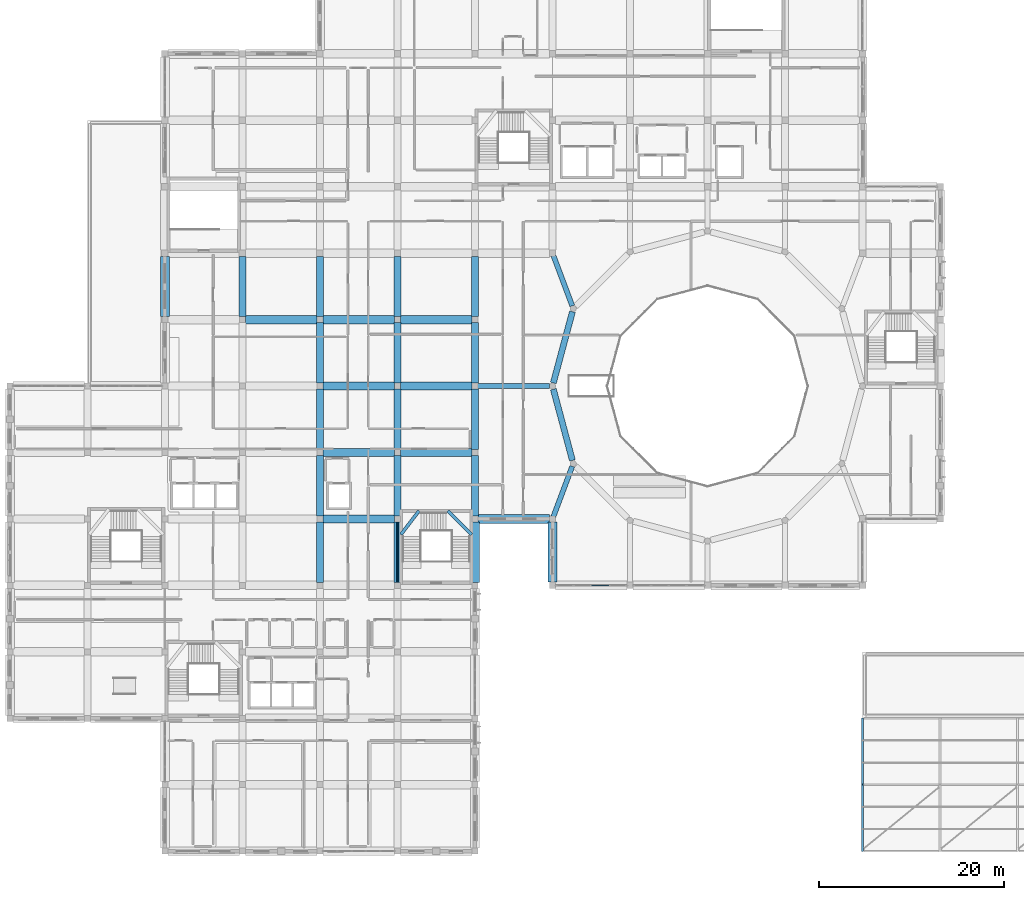
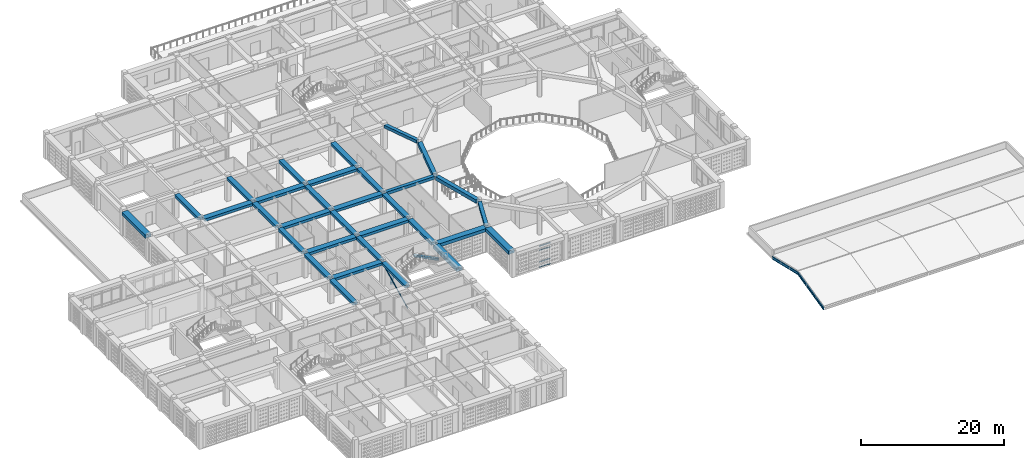
# One storey, part 14 of 79: 36 beams, 5 members, 1 element without a shape of its own.
"""IFC4 building model written with IfcOpenShell, lengths in metres."""

from ifc_helpers import new_model, si_unit, derived_unit, direction, frame, origin, origin_2d, place, context, subcontext, project, spatial, rectangle, hollow_rectangle, hollow_circle, i_section, extrude, material, material_profile, profile_set, type_object, element, aggregate, save


model = new_model("IFC4")

# Units and contexts
model_context = context("Model", 3, precision=1e-05, world=origin(), true_north=direction((0.0, 1.0)))
body_context = subcontext(model_context, "Body", "Model", "MODEL_VIEW")
ifc_project = project(units=[si_unit("LENGTHUNIT", "METRE"), si_unit("AREAUNIT", "SQUARE_METRE"), si_unit("VOLUMEUNIT", "CUBIC_METRE"), si_unit("PLANEANGLEUNIT", "RADIAN"), si_unit("MASSUNIT", "GRAM", prefix="KILO"), derived_unit("THERMALTRANSMITTANCEUNIT", [(si_unit("POWERUNIT", "WATT"), 1), (si_unit("LENGTHUNIT", "METRE"), -2), (si_unit("THERMODYNAMICTEMPERATUREUNIT", "KELVIN"), -1)])], contexts=[model_context])

# Site, building, storey
site_placement = place(None, origin())
site = spatial("IfcSite", under=ifc_project, at=site_placement, CompositionType="ELEMENT")
building_placement = place(site_placement, origin())
building = spatial("IfcBuilding", under=site, at=building_placement, Name="Veybourne Emporium", CompositionType="ELEMENT")
storey_placement = place(building_placement, frame((0.0, 0.0, 18.89990234375)))
storey = spatial("IfcBuildingStorey", under=building, at=storey_placement, Name="L04", CompositionType="ELEMENT", Elevation=18.89990234375)

# Curtain wall, members
ifc_material_1 = material(Name="Patinated Architectural Bronze", Category="bronze")
curtain_wall_type = type_object("IfcCurtainWallType", Name="CWSystem_CWS-02", PredefinedType="NOTDEFINED", material=ifc_material_1)
curtain_wall_placement = place(storey_placement, origin())
curtain_wall = element("IfcCurtainWall", 1, at=curtain_wall_placement, inside=storey, type_object=curtain_wall_type, Name="L04 bronze glazed curtain wall CWS-02 (033)", PredefinedType="NOTDEFINED")
ifc_material_profile_1 = material_profile(ifc_material_1, hollow_rectangle(XDim=0.074951171875, YDim=0.179931640625, WallThickness=0.0048828125, InnerFilletRadius=0.007568359375, OuterFilletRadius=0.012451171875, at=origin_2d()), Name="CWT 75x180x5")
ifc_profile_set_1 = profile_set([ifc_material_profile_1], Name="Patinated Architectural Bronze")
member_type_1 = type_object("IfcMemberType", Name="CWTransom_CW-T2", PredefinedType="NOTDEFINED", material=ifc_profile_set_1)
member_1_placement = place(storey_placement, frame((64.887451171875, 28.800048828125, 0.03759765625), z_axis=(-1.0, 0.0, 0.0), x_axis=(0.0, -1.0, 0.0)))
member_1 = element("IfcMember", 2, at=member_1_placement, type_object=member_type_1, Name="CWS-02 transom 2.1", ObjectType="TRANSOM", PredefinedType="USERDEFINED", context=body_context, shape_type="SweptSolid", body=[
    extrude(hollow_rectangle(XDim=0.074951171875, YDim=0.179931640625, WallThickness=0.0048828125, InnerFilletRadius=0.007568359375, OuterFilletRadius=0.012451171875, at=origin_2d()), origin(), (0.0, 0.0, 1.0), 1.849853515625),
])
member_2_placement = place(storey_placement, frame((64.887451171875, 28.800048828125, 0.900146484375), z_axis=(-1.0, 0.0, 0.0), x_axis=(0.0, -1.0, 0.0)))
member_2 = element("IfcMember", 3, at=member_2_placement, type_object=member_type_1, Name="CWS-02 transom 2.2", ObjectType="TRANSOM", PredefinedType="USERDEFINED", context=body_context, shape_type="SweptSolid", body=[
    extrude(hollow_rectangle(XDim=0.074951171875, YDim=0.179931640625, WallThickness=0.0048828125, InnerFilletRadius=0.007568359375, OuterFilletRadius=0.012451171875, at=origin_2d()), origin(), (0.0, 0.0, 1.0), 1.849853515625),
])
member_3_placement = place(storey_placement, frame((64.887451171875, 28.800048828125, 2.880126953125), z_axis=(-1.0, 0.0, 0.0), x_axis=(0.0, -1.0, 0.0)))
member_3 = element("IfcMember", 4, at=member_3_placement, type_object=member_type_1, Name="CWS-02 transom 2.3", ObjectType="TRANSOM", PredefinedType="USERDEFINED", context=body_context, shape_type="SweptSolid", body=[
    extrude(hollow_rectangle(XDim=0.074951171875, YDim=0.179931640625, WallThickness=0.0048828125, InnerFilletRadius=0.007568359375, OuterFilletRadius=0.012451171875, at=origin_2d()), origin(), (0.0, 0.0, 1.0), 1.849853515625),
])
member_4_placement = place(storey_placement, frame((64.887451171875, 28.800048828125, 3.592529296875), z_axis=(-1.0, 0.0, 0.0), x_axis=(0.0, -1.0, 0.0)))
member_4 = element("IfcMember", 5, at=member_4_placement, type_object=member_type_1, Name="CWS-02 transom 2.4", ObjectType="TRANSOM", PredefinedType="USERDEFINED", context=body_context, shape_type="SweptSolid", body=[
    extrude(hollow_rectangle(XDim=0.074951171875, YDim=0.179931640625, WallThickness=0.0048828125, InnerFilletRadius=0.007568359375, OuterFilletRadius=0.012451171875, at=origin_2d()), origin(), (0.0, 0.0, 1.0), 1.849853515625),
])
aggregate(curtain_wall, [member_1, member_2, member_3, member_4])

# Beams
ifc_material_2 = material(Name="Concrete C32/40", Category="concrete")
ifc_material_profile_2 = material_profile(ifc_material_2, rectangle(XDim=0.35009765625, YDim=0.35009765625, at=origin_2d()), Name="RC 350x350")
ifc_profile_set_2 = profile_set([ifc_material_profile_2], Name="Concrete C32/40")
beam_type_1 = type_object("IfcBeamType", Name="LandingBeam_LB-01", PredefinedType="BEAM", material=ifc_profile_set_2)
beam_1_placement = place(storey_placement, frame((42.375, 34.320068359375, 1.125), z_axis=(0.60770640308, 0.794161776753, 0.0), x_axis=(-0.794161776753, 0.60770640308, 0.0)))
element("IfcBeam", 6, at=beam_1_placement, inside=storey, type_object=beam_type_1, Name="L04 ST-05 landing 1 support beam", PredefinedType="BEAM", context=body_context, shape_type="SweptSolid", body=[
    extrude(rectangle(XDim=0.35009765625, YDim=0.35009765625, at=origin_2d()), origin(), (0.0, 0.0, 1.0), 3.217041015625),
])
beam_2_placement = place(storey_placement, frame((47.469970703125, 36.875, 2.625), z_axis=(0.707106781187, -0.707106781187, 0.0), x_axis=(0.707106781187, 0.707106781187, 0.0)))
element("IfcBeam", 7, at=beam_2_placement, inside=storey, type_object=beam_type_1, Name="L04 ST-05 landing 2 support beam", PredefinedType="BEAM", context=body_context, shape_type="SweptSolid", body=[
    extrude(rectangle(XDim=0.35009765625, YDim=0.35009765625, at=origin_2d()), origin(), (0.0, 0.0, 1.0), 3.61328125),
])
ifc_material_profile_3 = material_profile(ifc_material_2, rectangle(XDim=0.89990234375, YDim=0.449951171875, at=origin_2d()), Name="RC 900x450")
ifc_profile_set_3 = profile_set([ifc_material_profile_3], Name="Concrete C32/40")
beam_type_2 = type_object("IfcBeamType", Name="RCBeam_BB-03", PredefinedType="BEAM", material=ifc_profile_set_3)
for number, where, z_axis, x_axis, name in (
    (8, (25.52490234375, 57.60009765625, 3.955078125), (1.0, 0.0, 0.0), (0.0, 1.0, 0.0), "L04 X-grid beam BB-03 (3,8)"),
    (9, (33.925048828125, 36.0, 3.955078125), (1.0, 0.0, 0.0), (0.0, 1.0, 0.0), "L04 X-grid beam BB-03 (4,5)"),
    (10, (33.925048828125, 43.199951171875, 3.955078125), (1.0, 0.0, 0.0), (0.0, 1.0, 0.0), "L04 X-grid beam BB-03 (4,6)"),
    (11, (33.925048828125, 50.39990234375, 3.955078125), (1.0, 0.0, 0.0), (0.0, 1.0, 0.0), "L04 X-grid beam BB-03 (4,7)"),
    (12, (33.925048828125, 57.60009765625, 3.955078125), (1.0, 0.0, 0.0), (0.0, 1.0, 0.0), "L04 X-grid beam BB-03 (4,8)"),
    (13, (42.324951171875, 43.199951171875, 3.955078125), (1.0, 0.0, 0.0), (0.0, 1.0, 0.0), "L04 X-grid beam BB-03 (5,6)"),
    (14, (42.324951171875, 50.39990234375, 3.955078125), (1.0, 0.0, 0.0), (0.0, 1.0, 0.0), "L04 X-grid beam BB-03 (5,7)"),
    (15, (42.324951171875, 57.60009765625, 3.955078125), (1.0, 0.0, 0.0), (0.0, 1.0, 0.0), "L04 X-grid beam BB-03 (5,8)"),
):
    element("IfcBeam", number, at=place(storey_placement, frame(where, z_axis=z_axis, x_axis=x_axis)), inside=storey, type_object=beam_type_2, Name=name, PredefinedType="BEAM", context=body_context, shape_type="SweptSolid", body=[
        extrude(rectangle(XDim=0.89990234375, YDim=0.449951171875, at=origin_2d()), origin(), (0.0, 0.0, 1.0), 7.75),
    ])
ifc_material_profile_4 = material_profile(ifc_material_2, rectangle(XDim=0.75, YDim=0.449951171875, at=origin_2d()), Name="RC 750x450")
ifc_profile_set_4 = profile_set([ifc_material_profile_4], Name="Concrete C32/40")
beam_type_3 = type_object("IfcBeamType", Name="RCBeam_BB-04", PredefinedType="BEAM", material=ifc_profile_set_4)
beam_3_placement = place(storey_placement, frame((25.199951171875, 57.925048828125, 3.955078125), z_axis=(0.0, 1.0, 0.0), x_axis=(-1.0, 0.0, 0.0)))
element("IfcBeam", 16, at=beam_3_placement, inside=storey, type_object=beam_type_3, Name="L04 Y-grid beam BB-04 (3,8)", PredefinedType="BEAM", context=body_context, shape_type="SweptSolid", body=[
    extrude(rectangle(XDim=0.75, YDim=0.449951171875, at=origin_2d()), origin(), (0.0, 0.0, 1.0), 6.52490234375),
])
for number, where, z_axis, x_axis, name in (
    (17, (33.60009765625, 29.125, 3.955078125), (0.0, 1.0, 0.0), (-1.0, 0.0, 0.0), "L04 Y-grid beam BB-04 (4,4)"),
    (18, (33.60009765625, 36.324951171875, 3.955078125), (0.0, 1.0, 0.0), (-1.0, 0.0, 0.0), "L04 Y-grid beam BB-04 (4,5)"),
    (19, (33.60009765625, 43.52490234375, 3.955078125), (0.0, 1.0, 0.0), (-1.0, 0.0, 0.0), "L04 Y-grid beam BB-04 (4,6)"),
):
    element("IfcBeam", number, at=place(storey_placement, frame(where, z_axis=z_axis, x_axis=x_axis)), inside=storey, type_object=beam_type_3, Name=name, PredefinedType="BEAM", context=body_context, shape_type="SweptSolid", body=[
        extrude(rectangle(XDim=0.75, YDim=0.449951171875, at=origin_2d()), origin(), (0.0, 0.0, 1.0), 6.550048828125),
    ])
beam_4_placement = place(storey_placement, frame((33.60009765625, 50.72509765625, 3.955078125), z_axis=(0.0, 1.0, 0.0), x_axis=(-1.0, 0.0, 0.0)))
element("IfcBeam", 20, at=beam_4_placement, inside=storey, type_object=beam_type_3, Name="L04 Y-grid beam BB-04 (4,7)", PredefinedType="BEAM", context=body_context, shape_type="SweptSolid", body=[
    extrude(rectangle(XDim=0.75, YDim=0.449951171875, at=origin_2d()), origin(), (0.0, 0.0, 1.0), 6.5498046875),
])
beam_5_placement = place(storey_placement, frame((33.60009765625, 57.925048828125, 3.955078125), z_axis=(0.0, 1.0, 0.0), x_axis=(-1.0, 0.0, 0.0)))
element("IfcBeam", 21, at=beam_5_placement, inside=storey, type_object=beam_type_3, Name="L04 Y-grid beam BB-04 (4,8)", PredefinedType="BEAM", context=body_context, shape_type="SweptSolid", body=[
    extrude(rectangle(XDim=0.75, YDim=0.449951171875, at=origin_2d()), origin(), (0.0, 0.0, 1.0), 6.52490234375),
])
for number, where, z_axis, x_axis, name in (
    (22, (42.0, 29.125, 3.955078125), (0.0, 1.0, 0.0), (-1.0, 0.0, 0.0), "L04 Y-grid beam BB-04 (5,4)"),
    (23, (42.0, 36.324951171875, 3.955078125), (0.0, 1.0, 0.0), (-1.0, 0.0, 0.0), "L04 Y-grid beam BB-04 (5,5)"),
    (24, (42.0, 43.52490234375, 3.955078125), (0.0, 1.0, 0.0), (-1.0, 0.0, 0.0), "L04 Y-grid beam BB-04 (5,6)"),
):
    element("IfcBeam", number, at=place(storey_placement, frame(where, z_axis=z_axis, x_axis=x_axis)), inside=storey, type_object=beam_type_3, Name=name, PredefinedType="BEAM", context=body_context, shape_type="SweptSolid", body=[
        extrude(rectangle(XDim=0.75, YDim=0.449951171875, at=origin_2d()), origin(), (0.0, 0.0, 1.0), 6.550048828125),
    ])
beam_6_placement = place(storey_placement, frame((42.0, 50.72509765625, 3.955078125), z_axis=(0.0, 1.0, 0.0), x_axis=(-1.0, 0.0, 0.0)))
element("IfcBeam", 25, at=beam_6_placement, inside=storey, type_object=beam_type_3, Name="L04 Y-grid beam BB-04 (5,7)", PredefinedType="BEAM", context=body_context, shape_type="SweptSolid", body=[
    extrude(rectangle(XDim=0.75, YDim=0.449951171875, at=origin_2d()), origin(), (0.0, 0.0, 1.0), 6.5498046875),
])
beam_7_placement = place(storey_placement, frame((42.0, 57.925048828125, 3.955078125), z_axis=(0.0, 1.0, 0.0), x_axis=(-1.0, 0.0, 0.0)))
element("IfcBeam", 26, at=beam_7_placement, inside=storey, type_object=beam_type_3, Name="L04 Y-grid beam BB-04 (5,8)", PredefinedType="BEAM", context=body_context, shape_type="SweptSolid", body=[
    extrude(rectangle(XDim=0.75, YDim=0.449951171875, at=origin_2d()), origin(), (0.0, 0.0, 1.0), 6.52490234375),
])
for number, where, z_axis, x_axis, name in (
    (27, (50.39990234375, 36.324951171875, 3.955078125), (0.0, 1.0, 0.0), (-1.0, 0.0, 0.0), "L04 Y-grid beam BB-04 (6,5)"),
    (28, (50.39990234375, 43.52490234375, 3.955078125), (0.0, 1.0, 0.0), (-1.0, 0.0, 0.0), "L04 Y-grid beam BB-04 (6,6)"),
):
    element("IfcBeam", number, at=place(storey_placement, frame(where, z_axis=z_axis, x_axis=x_axis)), inside=storey, type_object=beam_type_3, Name=name, PredefinedType="BEAM", context=body_context, shape_type="SweptSolid", body=[
        extrude(rectangle(XDim=0.75, YDim=0.449951171875, at=origin_2d()), origin(), (0.0, 0.0, 1.0), 6.550048828125),
    ])
beam_8_placement = place(storey_placement, frame((50.39990234375, 50.72509765625, 3.955078125), z_axis=(0.0, 1.0, 0.0), x_axis=(-1.0, 0.0, 0.0)))
element("IfcBeam", 29, at=beam_8_placement, inside=storey, type_object=beam_type_3, Name="L04 Y-grid beam BB-04 (6,7)", PredefinedType="BEAM", context=body_context, shape_type="SweptSolid", body=[
    extrude(rectangle(XDim=0.75, YDim=0.449951171875, at=origin_2d()), origin(), (0.0, 0.0, 1.0), 6.5498046875),
])
beam_9_placement = place(storey_placement, frame((50.39990234375, 57.925048828125, 3.955078125), z_axis=(0.0, 1.0, 0.0), x_axis=(-1.0, 0.0, 0.0)))
element("IfcBeam", 30, at=beam_9_placement, inside=storey, type_object=beam_type_3, Name="L04 Y-grid beam BB-04 (6,8)", PredefinedType="BEAM", context=body_context, shape_type="SweptSolid", body=[
    extrude(rectangle(XDim=0.75, YDim=0.449951171875, at=origin_2d()), origin(), (0.0, 0.0, 1.0), 6.52490234375),
])
ifc_material_profile_5 = material_profile(ifc_material_2, rectangle(XDim=0.949951171875, YDim=0.550048828125, at=origin_2d()), Name="RC 950x550")
ifc_profile_set_5 = profile_set([ifc_material_profile_5], Name="Concrete C32/40")
beam_type_4 = type_object("IfcBeamType", Name="RCBeam_EB-01", PredefinedType="SPANDREL", material=ifc_profile_set_5)
beam_10_placement = place(storey_placement, frame((50.72509765625, 36.0, 3.905029296875), z_axis=(1.0, 0.0, 0.0), x_axis=(0.0, 1.0, 0.0)))
element("IfcBeam", 31, at=beam_10_placement, inside=storey, type_object=beam_type_4, Name="L04 X-grid beam EB-01 (6,5)", PredefinedType="SPANDREL", context=body_context, shape_type="SweptSolid", body=[
    extrude(rectangle(XDim=0.949951171875, YDim=0.550048828125, at=origin_2d()), origin(), (0.0, 0.0, 1.0), 7.75),
])
beam_11_placement = place(storey_placement, frame((16.800048828125, 57.925048828125, 3.905029296875), z_axis=(0.0, 1.0, 0.0), x_axis=(-1.0, 0.0, 0.0)))
element("IfcBeam", 32, at=beam_11_placement, inside=storey, type_object=beam_type_4, Name="L04 Y-grid beam EB-01 (2,8)", PredefinedType="SPANDREL", context=body_context, shape_type="SweptSolid", body=[
    extrude(rectangle(XDim=0.949951171875, YDim=0.550048828125, at=origin_2d()), origin(), (0.0, 0.0, 1.0), 6.52490234375),
])
beam_12_placement = place(storey_placement, frame((50.39990234375, 29.125, 3.905029296875), z_axis=(0.0, 1.0, 0.0), x_axis=(-1.0, 0.0, 0.0)))
element("IfcBeam", 33, at=beam_12_placement, inside=storey, type_object=beam_type_4, Name="L04 Y-grid beam EB-01 (6,4)", PredefinedType="SPANDREL", context=body_context, shape_type="SweptSolid", body=[
    extrude(rectangle(XDim=0.949951171875, YDim=0.550048828125, at=origin_2d()), origin(), (0.0, 0.0, 1.0), 6.550048828125),
])
beam_13_placement = place(storey_placement, frame((58.800048828125, 29.14990234375, 3.905029296875), z_axis=(0.0, 1.0, 0.0), x_axis=(-1.0, 0.0, 0.0)))
element("IfcBeam", 34, at=beam_13_placement, inside=storey, type_object=beam_type_4, Name="L04 Y-grid beam EB-01 (7,4)", PredefinedType="SPANDREL", context=body_context, shape_type="SweptSolid", body=[
    extrude(rectangle(XDim=0.949951171875, YDim=0.550048828125, at=origin_2d()), origin(), (0.0, 0.0, 1.0), 6.525146484375),
])
ifc_material_profile_6 = material_profile(ifc_material_2, rectangle(XDim=0.64990234375, YDim=0.60009765625, at=origin_2d()), Name="RC 650x600")
ifc_profile_set_6 = profile_set([ifc_material_profile_6], Name="Concrete C32/40")
beam_type_5 = type_object("IfcBeamType", Name="RCBeam_EB-02", PredefinedType="BEAM", material=ifc_profile_set_6)
for number, where, z_axis, x_axis, name in (
    (35, (60.958984375, 58.45703125, 3.880126953125), (-0.258836425556, -0.965921169043, 0.0), (0.965921169043, -0.258836425556, 0.0), "Atrium ring beam EB-02 L04-06"),
    (36, (58.891845703125, 50.05712890625, 3.880126953125), (0.258836425556, -0.965921169043, 0.0), (0.965921169043, 0.258836425556, 0.0), "Atrium ring beam EB-02 L04-07"),
):
    element("IfcBeam", number, at=place(storey_placement, frame(where, z_axis=z_axis, x_axis=x_axis)), inside=storey, type_object=beam_type_5, Name=name, PredefinedType="BEAM", context=body_context, shape_type="SweptSolid", body=[
        extrude(rectangle(XDim=0.64990234375, YDim=0.60009765625, at=origin_2d()), origin(), (0.0, 0.0, 1.0), 7.986328125),
    ])
ifc_material_profile_7 = material_profile(ifc_material_2, rectangle(XDim=0.550048828125, YDim=0.5, at=origin_2d()), Name="RC 550x500")
ifc_profile_set_7 = profile_set([ifc_material_profile_7], Name="Concrete C32/40")
beam_type_6 = type_object("IfcBeamType", Name="RCBeam_TB-01", PredefinedType="BEAM", material=ifc_profile_set_7)
beam_14_placement = place(storey_placement, frame((60.940185546875, 59.094970703125, 3.93017578125), z_axis=(-0.351234086371, 0.936287678318, 0.0), x_axis=(-0.936287678318, -0.351234086371, 0.0)))
element("IfcBeam", 37, at=beam_14_placement, inside=storey, type_object=beam_type_6, Name="Atrium radial tie beam L04-06", PredefinedType="BEAM", context=body_context, shape_type="SweptSolid", body=[
    extrude(rectangle(XDim=0.550048828125, YDim=0.5, at=origin_2d()), origin(), (0.0, 0.0, 1.0), 5.80322265625),
])
beam_15_placement = place(storey_placement, frame((58.485107421875, 50.39990234375, 3.93017578125), z_axis=(-1.0, 0.0, 0.0), x_axis=(0.0, -1.0, 0.0)))
element("IfcBeam", 38, at=beam_15_placement, inside=storey, type_object=beam_type_6, Name="Atrium radial tie beam L04-07", PredefinedType="BEAM", context=body_context, shape_type="SweptSolid", body=[
    extrude(rectangle(XDim=0.550048828125, YDim=0.5, at=origin_2d()), origin(), (0.0, 0.0, 1.0), 7.820068359375),
])
beam_16_placement = place(storey_placement, frame((60.940185546875, 41.705078125, 3.93017578125), z_axis=(-0.351233611193, -0.936287856574, 0.0), x_axis=(0.936287856574, -0.351233611193, 0.0)))
element("IfcBeam", 39, at=beam_16_placement, inside=storey, type_object=beam_type_6, Name="Atrium radial tie beam L04-08", PredefinedType="BEAM", context=body_context, shape_type="SweptSolid", body=[
    extrude(rectangle(XDim=0.550048828125, YDim=0.5, at=origin_2d()), origin(), (0.0, 0.0, 1.0), 5.828369140625),
])
ifc_material_3 = material(Name="Steel S355", Category="steel")
ifc_material_profile_8 = material_profile(ifc_material_3, i_section(OverallWidth=0.1904296875, OverallDepth=0.45703125, WebThickness=0.009033203125, FlangeThickness=0.014404296875, FilletRadius=0.01025390625, at=origin_2d()), Name="UKB 457x191x74")
ifc_profile_set_8 = profile_set([ifc_material_profile_8], Name="Steel S355")
beam_type_7 = type_object("IfcBeamType", Name="SteelBeam_FR-01", PredefinedType="BEAM", material=ifc_profile_set_8)
for number, where, z_axis, x_axis, name in (
    (40, (92.39990234375, 0.0, 0.1201171875), (0.0, 0.973240729357, 0.229787908125), (-1.0, 0.0, 0.0), "Food hall south portal rafter 00"),
    (41, (92.39990234375, 7.199951171875, 1.820068359375), (0.0, 0.973240729357, -0.229787908125), (-1.0, 0.0, 0.0), "Food hall north portal rafter 00"),
):
    element("IfcBeam", number, at=place(storey_placement, frame(where, z_axis=z_axis, x_axis=x_axis)), inside=storey, type_object=beam_type_7, Name=name, PredefinedType="BEAM", context=body_context, shape_type="SweptSolid", body=[
        extrude(i_section(OverallWidth=0.1904296875, OverallDepth=0.45703125, WebThickness=0.009033203125, FlangeThickness=0.014404296875, FilletRadius=0.01025390625, at=origin_2d()), origin(), (0.0, 0.0, 1.0), 7.39794921875),
    ])

# Member
ifc_material_profile_9 = material_profile(ifc_material_3, hollow_circle(Radius=0.084228515625, WallThickness=0.008056640625, at=origin_2d()), Name="CHS 168.3x8.0")
ifc_profile_set_9 = profile_set([ifc_material_profile_9], Name="Steel S355")
member_type_2 = type_object("IfcMemberType", Name="SteelMem_DB-01", PredefinedType="BRACE", material=ifc_profile_set_9)
member_5_placement = place(storey_placement, frame((42.0, 29.02001953125, 0.25), z_axis=(0.0, 0.897061623358, 0.441905469414), x_axis=(-1.0, 0.0, 0.0)))
element("IfcMember", 42, at=member_5_placement, inside=storey, type_object=member_type_2, Name="Internal lateral frame brace DB-01.12 (L04)", PredefinedType="BRACE", context=body_context, shape_type="SweptSolid", body=[
    extrude(hollow_circle(Radius=0.084228515625, WallThickness=0.008056640625, at=origin_2d()), origin(), (0.0, 0.0, 1.0), 7.53564453125),
])

save(model, "model.ifc")
